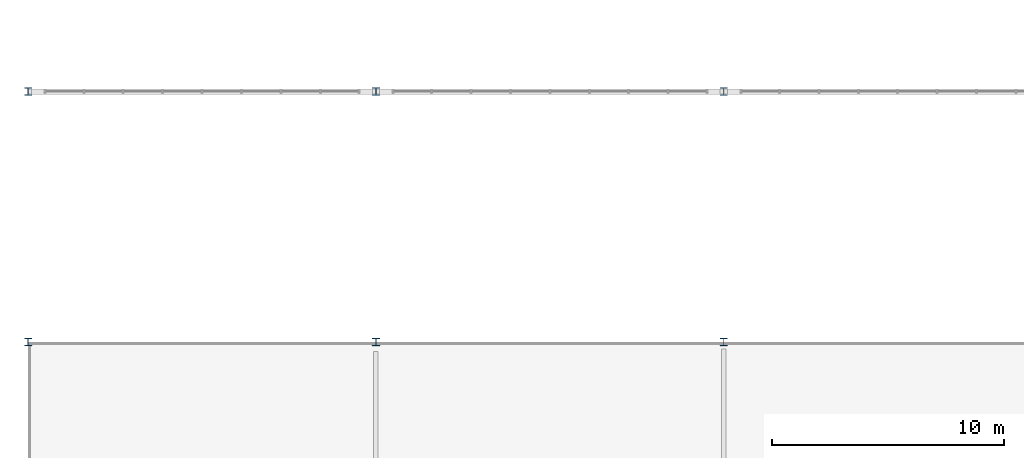
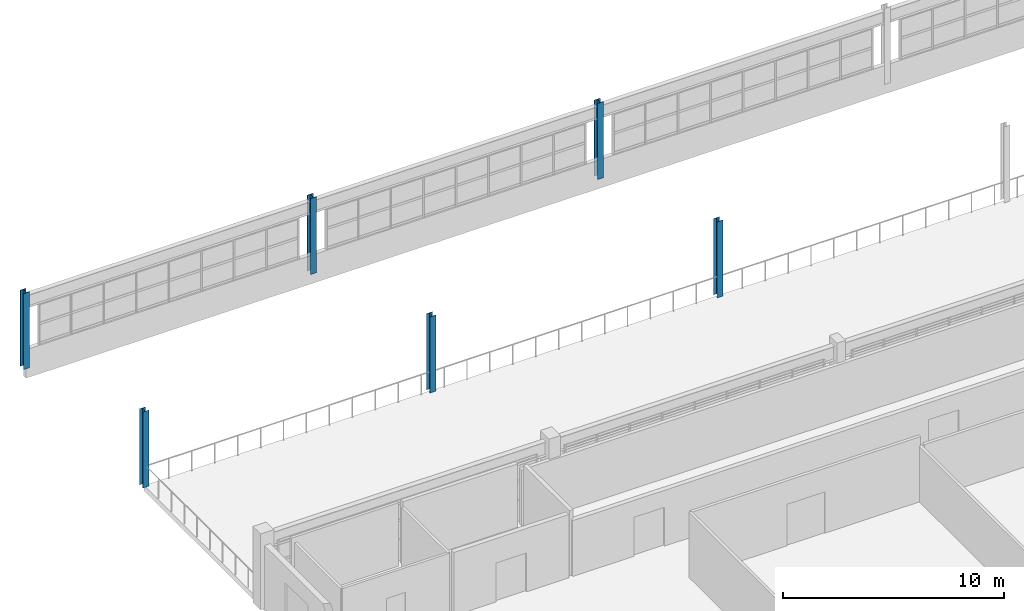
# One storey, part 2 of 92: 6 columns.
"""IFC4 building model written with IfcOpenShell, lengths in metres."""

from ifc_helpers import new_model, si_unit, direction, frame, origin, origin_2d, place, context, subcontext, project, spatial, i_section, extrude, material, material_profile, profile_set, type_object, element, save


model = new_model("IFC4")

# Units and contexts
model_context = context("Model", 3, precision=1e-05, world=origin(), true_north=direction((0.0, 1.0)))
body_context = subcontext(model_context, "Body", "Model", "MODEL_VIEW")
ifc_project = project(units=[si_unit("LENGTHUNIT", "METRE"), si_unit("AREAUNIT", "SQUARE_METRE"), si_unit("VOLUMEUNIT", "CUBIC_METRE"), si_unit("PLANEANGLEUNIT", "RADIAN"), si_unit("MASSUNIT", "GRAM", prefix="KILO")], contexts=[model_context])

# Site, building, storey
site_placement = place(None, origin())
site = spatial("IfcSite", under=ifc_project, at=site_placement, CompositionType="ELEMENT")
building_placement = place(site_placement, origin())
building = spatial("IfcBuilding", under=site, at=building_placement, Name="Solanera Park Tramway Depot", CompositionType="ELEMENT")
storey_placement = place(building_placement, frame((0.0, 0.0, 4.800048828125)))
storey = spatial("IfcBuildingStorey", under=building, at=storey_placement, Name="L01", CompositionType="ELEMENT", Elevation=4.800048828125)

# Columns
ifc_material_1 = material(Name="Steel AS/NZS 3679.1 Grade 350", Category="steel")
ifc_material_profile_1 = material_profile(ifc_material_1, i_section(OverallWidth=0.306884765625, OverallDepth=0.314697265625, WebThickness=0.011962890625, FlangeThickness=0.018798828125, at=origin_2d()), Name="310UC118")
ifc_profile_set_1 = profile_set([ifc_material_profile_1], Name="Steel AS/NZS 3679.1 Grade 350")
column_type_1 = type_object("IfcColumnType", Name="Steel Column Ext 310UC118", PredefinedType="COLUMN", material=ifc_profile_set_1)
column_placement = place(storey_placement, frame((0.0, 43.199951171875, 0.0), z_axis=(0.0, 0.0, 1.0), x_axis=(1.0, 0.0, 0.0)))
element("IfcColumn", 1, at=column_placement, inside=storey, type_object=column_type_1, Name="L01 Column V2-X0-Y432", PredefinedType="COLUMN", context=body_context, shape_type="SweptSolid", body=[
    extrude(i_section(OverallWidth=0.306884765625, OverallDepth=0.314697265625, WebThickness=0.011962890625, FlangeThickness=0.018798828125, at=origin_2d()), origin(), (0.0, 0.0, 1.0), 4.199951171875),
])
ifc_material_2 = material(Name="Steel AS/NZS 3679.1 Grade 350", Category="steel")
ifc_material_profile_2 = material_profile(ifc_material_2, i_section(OverallWidth=0.310546875, OverallDepth=0.3271484375, WebThickness=0.015625, FlangeThickness=0.02490234375, at=origin_2d()), Name="310UC158")
ifc_profile_set_2 = profile_set([ifc_material_profile_2], Name="Steel AS/NZS 3679.1 Grade 350")
column_type_2 = type_object("IfcColumnType", Name="Steel Column Ext 310UC158", PredefinedType="COLUMN", material=ifc_profile_set_2)
for number, where, z_axis, x_axis, name in (
    (2, (0.0, 54.0, 0.0), (0.0, 0.0, 1.0), (1.0, 0.0, 0.0), "L01 Column V2-X0-Y540"),
    (3, (15.0, 54.0, 0.0), (0.0, 0.0, 1.0), (1.0, 0.0, 0.0), "L01 Column V2-X150-Y540"),
    (4, (30.0, 54.0, 0.0), (0.0, 0.0, 1.0), (1.0, 0.0, 0.0), "L01 Column V2-X300-Y540"),
):
    element("IfcColumn", number, at=place(storey_placement, frame(where, z_axis=z_axis, x_axis=x_axis)), inside=storey, type_object=column_type_2, Name=name, PredefinedType="COLUMN", context=body_context, shape_type="SweptSolid", body=[
        extrude(i_section(OverallWidth=0.310546875, OverallDepth=0.3271484375, WebThickness=0.015625, FlangeThickness=0.02490234375, at=origin_2d()), origin(), (0.0, 0.0, 1.0), 4.199951171875),
    ])
ifc_material_3 = material(Name="Steel AS/NZS 3679.1 Grade 350", Category="steel")
ifc_material_profile_3 = material_profile(ifc_material_3, i_section(OverallWidth=0.306884765625, OverallDepth=0.314697265625, WebThickness=0.011962890625, FlangeThickness=0.018798828125, at=origin_2d()), Name="310UC118")
ifc_profile_set_3 = profile_set([ifc_material_profile_3], Name="Steel AS/NZS 3679.1 Grade 350")
column_type_3 = type_object("IfcColumnType", Name="Steel Column Int 310UC118", PredefinedType="COLUMN", material=ifc_profile_set_3)
for number, where, z_axis, x_axis, name in (
    (5, (15.0, 43.199951171875, 0.0), (0.0, 0.0, 1.0), (1.0, 0.0, 0.0), "L01 Column V2-X150-Y432"),
    (6, (30.0, 43.199951171875, 0.0), (0.0, 0.0, 1.0), (1.0, 0.0, 0.0), "L01 Column V2-X300-Y432"),
):
    element("IfcColumn", number, at=place(storey_placement, frame(where, z_axis=z_axis, x_axis=x_axis)), inside=storey, type_object=column_type_3, Name=name, PredefinedType="COLUMN", context=body_context, shape_type="SweptSolid", body=[
        extrude(i_section(OverallWidth=0.306884765625, OverallDepth=0.314697265625, WebThickness=0.011962890625, FlangeThickness=0.018798828125, at=origin_2d()), origin(), (0.0, 0.0, 1.0), 4.199951171875),
    ])

save(model, "model.ifc")
